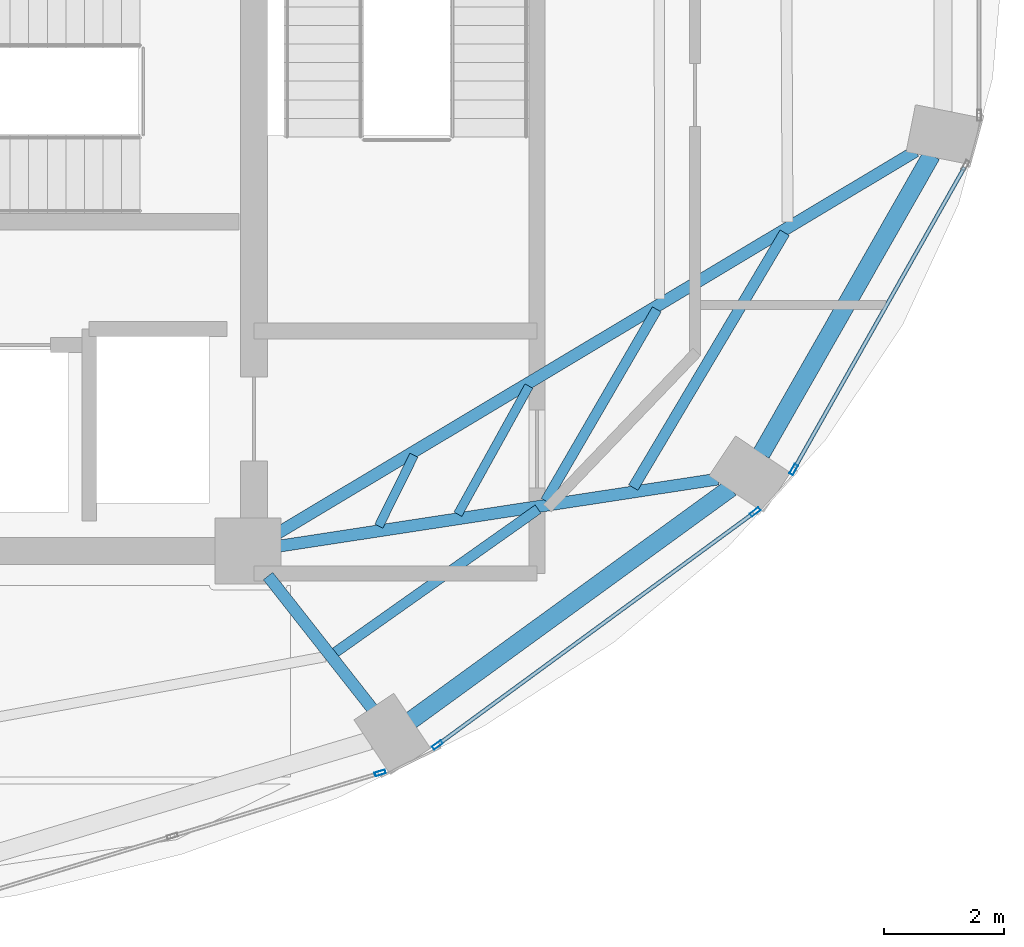
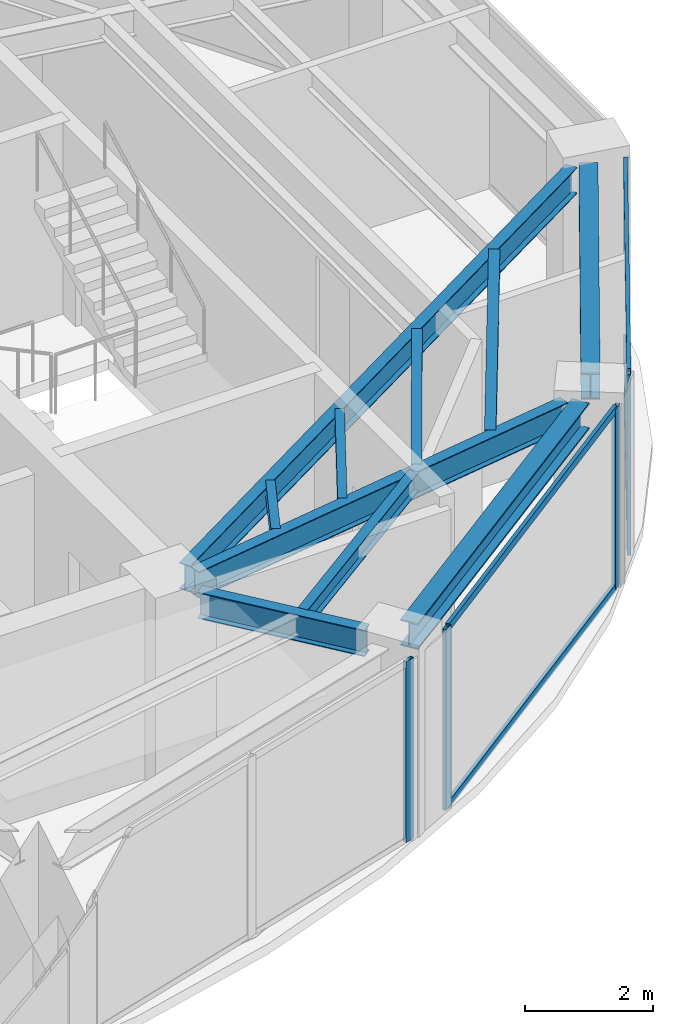
# One storey, part 13 of 23: 10 beams, 8 members, 3 elements without a shape of their own.
"""IFC4 building model written with IfcOpenShell, lengths in metres."""

from ifc_helpers import new_model, si_unit, direction, frame, origin, origin_2d, place, context, subcontext, project, spatial, hollow_rectangle, i_section, extrude, material, layer, layer_set, material_profile, profile_set, type_object, element, aggregate, save


model = new_model("IFC4")

# Units and contexts
model_context = context("Model", 3, precision=1e-05, world=origin(), true_north=direction((0.0, 1.0)))
body_context = subcontext(model_context, "Body", "Model", "MODEL_VIEW")
ifc_project = project(units=[si_unit("LENGTHUNIT", "METRE"), si_unit("AREAUNIT", "SQUARE_METRE"), si_unit("VOLUMEUNIT", "CUBIC_METRE"), si_unit("PLANEANGLEUNIT", "RADIAN"), si_unit("MASSUNIT", "GRAM", prefix="KILO")], contexts=[model_context])

# Site, building, storey
site_placement = place(None, origin())
site = spatial("IfcSite", under=ifc_project, at=site_placement, CompositionType="ELEMENT")
building_placement = place(site_placement, origin())
building = spatial("IfcBuilding", under=site, at=building_placement, Name="Lazwardi Medical Tower", CompositionType="ELEMENT")
storey_placement = place(building_placement, frame((0.0, 0.0, 234.9599609375)))
storey = spatial("IfcBuildingStorey", under=building, at=storey_placement, Name="L61", CompositionType="ELEMENT", Elevation=234.9599609375)

# Beams
ifc_material_1 = material(Name="Steel S355", Category="steel")
ifc_material_profile_1 = material_profile(ifc_material_1, i_section(OverallWidth=0.300048828125, OverallDepth=0.5, WebThickness=0.014404296875, FlangeThickness=0.028076171875, at=origin_2d()), Name="HEB 500")
ifc_profile_set_1 = profile_set([ifc_material_profile_1], Name="Steel S355")
beam_type_1 = type_object("IfcBeamType", Name="BM-RB-Z4", PredefinedType="BEAM", material=ifc_profile_set_1)
beam_1_placement = place(storey_placement, frame((48.31591796875, 17.5751953125, 3.197998046875), z_axis=(0.808889916254, 0.587960120571, 0.0), x_axis=(-0.587960120571, 0.808889916254, 0.0)))
element("IfcBeam", 1, at=beam_1_placement, inside=storey, type_object=beam_type_1, Name="Ring beam RB-05 B02 L61", PredefinedType="BEAM", context=body_context, shape_type="SweptSolid", body=[
    extrude(i_section(OverallWidth=0.300048828125, OverallDepth=0.5, WebThickness=0.014404296875, FlangeThickness=0.028076171875, at=origin_2d()), origin(), (0.0, 0.0, 1.0), 6.587158203125),
])
beam_2_placement = place(storey_placement, frame((54.15283203125, 22.016357421875, 3.197998046875), z_axis=(0.495125273299, 0.868821594886, 0.0), x_axis=(-0.868821594886, 0.495125273299, 0.0)))
element("IfcBeam", 2, at=beam_2_placement, inside=storey, type_object=beam_type_1, Name="Ring beam RB-05 B03 L61", PredefinedType="BEAM", context=body_context, shape_type="SweptSolid", body=[
    extrude(i_section(OverallWidth=0.300048828125, OverallDepth=0.5, WebThickness=0.014404296875, FlangeThickness=0.028076171875, at=origin_2d()), origin(), (0.0, 0.0, 1.0), 5.734130859375),
])
ifc_material_profile_2 = material_profile(ifc_material_1, i_section(OverallWidth=0.199951171875, OverallDepth=0.5, WebThickness=0.01025390625, FlangeThickness=0.01611328125, at=origin_2d()), Name="IPE 500")
ifc_profile_set_2 = profile_set([ifc_material_profile_2], Name="Steel S355")
beam_type_2 = type_object("IfcBeamType", Name="BM-RG-W3", PredefinedType="BEAM", material=ifc_profile_set_2)
beam_3_placement = place(storey_placement, frame((47.669677734375, 17.7666015625, 3.197998046875), z_axis=(-0.617890508382, 0.786264153864, 0.0), x_axis=(-0.786264153864, -0.617890508382, 0.0)))
element("IfcBeam", 3, at=beam_3_placement, inside=storey, type_object=beam_type_2, Name="Radial girder RG-04 R02 L61", PredefinedType="BEAM", context=body_context, shape_type="SweptSolid", body=[
    extrude(i_section(OverallWidth=0.199951171875, OverallDepth=0.5, WebThickness=0.01025390625, FlangeThickness=0.01611328125, at=origin_2d()), origin(), (0.0, 0.0, 1.0), 2.814453125),
])
beam_4_placement = place(storey_placement, frame((53.430908203125, 21.5966796875, 3.197998046875), z_axis=(-0.988522137285, -0.151076087115, 0.0), x_axis=(0.151076087115, -0.988522137285, 0.0)))
element("IfcBeam", 4, at=beam_4_placement, inside=storey, type_object=beam_type_2, Name="Radial girder RG-04 R03 L61", PredefinedType="BEAM", context=body_context, shape_type="SweptSolid", body=[
    extrude(i_section(OverallWidth=0.199951171875, OverallDepth=0.5, WebThickness=0.01025390625, FlangeThickness=0.01611328125, at=origin_2d()), origin(), (0.0, 0.0, 1.0), 7.38671875),
])
beam_5_placement = place(storey_placement, frame((56.72607421875, 27.062255859375, 3.197998046875), z_axis=(-0.857944804603, -0.513741873176, 0.0), x_axis=(0.513741873176, -0.857944804603, 0.0)))
element("IfcBeam", 5, at=beam_5_placement, inside=storey, type_object=beam_type_2, Name="Radial girder RG-04 R04 L61", PredefinedType="BEAM", context=body_context, shape_type="SweptSolid", body=[
    extrude(i_section(OverallWidth=0.199951171875, OverallDepth=0.5, WebThickness=0.01025390625, FlangeThickness=0.01611328125, at=origin_2d()), origin(), (0.0, 0.0, 1.0), 12.43310546875),
])
ifc_material_profile_3 = material_profile(ifc_material_1, i_section(OverallWidth=0.179931640625, OverallDepth=0.39990234375, WebThickness=0.008544921875, FlangeThickness=0.013427734375, at=origin_2d()), Name="IPE 400")
ifc_profile_set_3 = profile_set([ifc_material_profile_3], Name="Steel S355")
beam_type_3 = type_object("IfcBeamType", Name="BM-SJ-01", PredefinedType="JOIST", material=ifc_profile_set_3)
beam_6_placement = place(storey_placement, frame((52.01904296875, 21.455078125, 3.248046875), z_axis=(0.510967866251, 0.859599813668, 0.0), x_axis=(-0.859599813668, 0.510967866251, 0.0)))
element("IfcBeam", 6, at=beam_6_placement, inside=storey, type_object=beam_type_3, Name="Secondary joist SJ-01 R1 B03 L61", PredefinedType="JOIST", context=body_context, shape_type="SweptSolid", body=[
    extrude(i_section(OverallWidth=0.179931640625, OverallDepth=0.39990234375, WebThickness=0.008544921875, FlangeThickness=0.013427734375, at=origin_2d()), origin(), (0.0, 0.0, 1.0), 4.94189453125),
])
ifc_material_profile_4 = material_profile(ifc_material_1, i_section(OverallWidth=0.169921875, OverallDepth=0.360107421875, WebThickness=0.008056640625, FlangeThickness=0.0126953125, at=origin_2d()), Name="IPE 360")
ifc_profile_set_4 = profile_set([ifc_material_profile_4], Name="Steel S355")
beam_type_4 = type_object("IfcBeamType", Name="BM-SJ-02", PredefinedType="JOIST", material=ifc_profile_set_4)
beam_7_placement = place(storey_placement, frame((47.051513671875, 18.70654296875, 3.26806640625), z_axis=(0.816711190406, 0.577046645832, 0.0), x_axis=(-0.577046645832, 0.816711190406, 0.0)))
element("IfcBeam", 7, at=beam_7_placement, inside=storey, type_object=beam_type_4, Name="Secondary joist SJ-02 R2 B02 L61", PredefinedType="JOIST", context=body_context, shape_type="SweptSolid", body=[
    extrude(i_section(OverallWidth=0.169921875, OverallDepth=0.360107421875, WebThickness=0.008056640625, FlangeThickness=0.0126953125, at=origin_2d()), origin(), (0.0, 0.0, 1.0), 4.139892578125),
])
beam_8_placement = place(storey_placement, frame((50.5576171875, 21.232421875, 3.26806640625), z_axis=(0.50218018565, 0.864763008657, 0.0), x_axis=(-0.864763008657, 0.50218018565, 0.0)))
element("IfcBeam", 8, at=beam_8_placement, inside=storey, type_object=beam_type_4, Name="Secondary joist SJ-02 R2 B03 L61", PredefinedType="JOIST", context=body_context, shape_type="SweptSolid", body=[
    extrude(i_section(OverallWidth=0.169921875, OverallDepth=0.360107421875, WebThickness=0.008056640625, FlangeThickness=0.0126953125, at=origin_2d()), origin(), (0.0, 0.0, 1.0), 3.69189453125),
])
ifc_material_profile_5 = material_profile(ifc_material_1, i_section(OverallWidth=0.14990234375, OverallDepth=0.300048828125, WebThickness=0.007080078125, FlangeThickness=0.0107421875, at=origin_2d()), Name="IPE 300")
ifc_profile_set_5 = profile_set([ifc_material_profile_5], Name="Steel S355")
beam_type_5 = type_object("IfcBeamType", Name="BM-SJ-03", PredefinedType="JOIST", material=ifc_profile_set_5)
beam_9_placement = place(storey_placement, frame((49.095703125, 21.01025390625, 3.298095703125), z_axis=(0.484751625998, 0.874651851363, 0.0), x_axis=(-0.874651851363, 0.484751625998, 0.0)))
element("IfcBeam", 9, at=beam_9_placement, inside=storey, type_object=beam_type_5, Name="Secondary joist SJ-03 R3 B03 L61", PredefinedType="JOIST", context=body_context, shape_type="SweptSolid", body=[
    extrude(i_section(OverallWidth=0.14990234375, OverallDepth=0.300048828125, WebThickness=0.007080078125, FlangeThickness=0.0107421875, at=origin_2d()), origin(), (0.0, 0.0, 1.0), 2.442626953125),
])
beam_10_placement = place(storey_placement, frame((47.777587890625, 20.811279296875, 3.298095703125), z_axis=(0.443587297772, 0.89623116954, 0.0), x_axis=(-0.89623116954, 0.443587297772, 0.0)))
element("IfcBeam", 10, at=beam_10_placement, inside=storey, type_object=beam_type_5, Name="Secondary joist SJ-03 R4 B03 L61", PredefinedType="JOIST", context=body_context, shape_type="SweptSolid", body=[
    extrude(i_section(OverallWidth=0.14990234375, OverallDepth=0.300048828125, WebThickness=0.007080078125, FlangeThickness=0.0107421875, at=origin_2d()), origin(), (0.0, 0.0, 1.0), 1.32080078125),
])

# Curtain wall, member
ifc_material_2 = material(Name="Anodised bronze aluminium and solar control glazing", Category="aluminium")
ifc_layer = layer(ifc_material_2, 0.18994140625)
ifc_layer_set = layer_set([ifc_layer], Name="Anodised bronze aluminium and solar control glazing")
curtain_wall_type = type_object("IfcCurtainWallType", Name="CW-SYS-04", PredefinedType="NOTDEFINED", material=ifc_layer_set)
curtain_wall_1_placement = place(storey_placement, origin())
curtain_wall_1 = element("IfcCurtainWall", 11, at=curtain_wall_1_placement, inside=storey, type_object=curtain_wall_type, Name="L61 Unitised bronze curtain wall CW-04", PredefinedType="NOTDEFINED")
ifc_material_3 = material(Name="Anodised bronze aluminium", Category="aluminium")
ifc_material_profile_6 = material_profile(ifc_material_3, hollow_rectangle(XDim=0.06494140625, YDim=0.179931640625, WallThickness=0.00390625, at=origin_2d()), Name="ALU-MULLION 180x65x4")
ifc_profile_set_6 = profile_set([ifc_material_profile_6], Name="Anodised bronze aluminium")
member_type_1 = type_object("IfcMemberType", Name="CW-MUL-03", PredefinedType="MULLION", material=ifc_profile_set_6)
member_1_placement = place(storey_placement, frame((47.7998046875, 16.696533203125, 0.0), z_axis=(0.0, 0.0, 1.0), x_axis=(-0.290581889515, 0.956850126972, 0.0)))
member_1 = element("IfcMember", 12, at=member_1_placement, type_object=member_type_1, Name="CW-04 mullion 3", PredefinedType="MULLION", context=body_context, shape_type="SweptSolid", body=[
    extrude(hollow_rectangle(XDim=0.06494140625, YDim=0.179931640625, WallThickness=0.00390625, at=origin_2d()), origin(), (0.0, 0.0, 1.0), 3.447998046875),
])
aggregate(curtain_wall_1, [member_1])

# Curtain wall, members
curtain_wall_2_placement = place(storey_placement, origin())
curtain_wall_2 = element("IfcCurtainWall", 13, at=curtain_wall_2_placement, inside=storey, type_object=curtain_wall_type, Name="L61 Unitised bronze curtain wall CW-04", PredefinedType="NOTDEFINED")
member_2_placement = place(storey_placement, frame((48.75537109375, 17.1650390625, 0.0), z_axis=(0.0, 0.0, 1.0), x_axis=(-0.591268230971, 0.806474971121, 0.0)))
member_2 = element("IfcMember", 14, at=member_2_placement, type_object=member_type_1, Name="CW-04 mullion 1", PredefinedType="MULLION", context=body_context, shape_type="SweptSolid", body=[
    extrude(hollow_rectangle(XDim=0.06494140625, YDim=0.179931640625, WallThickness=0.00390625, at=origin_2d()), origin(), (0.0, 0.0, 1.0), 3.447998046875),
])
member_3_placement = place(storey_placement, frame((54.052001953125, 21.04833984375, 0.0), z_axis=(0.0, 0.0, 1.0), x_axis=(-0.591268230971, 0.806474971121, 0.0)))
member_3 = element("IfcMember", 15, at=member_3_placement, type_object=member_type_1, Name="CW-04 mullion 2", PredefinedType="MULLION", context=body_context, shape_type="SweptSolid", body=[
    extrude(hollow_rectangle(XDim=0.06494140625, YDim=0.179931640625, WallThickness=0.00390625, at=origin_2d()), origin(), (0.0, 0.0, 1.0), 3.447998046875),
])

# Curtain wall, member
curtain_wall_3_placement = place(storey_placement, origin())
curtain_wall_3 = element("IfcCurtainWall", 16, at=curtain_wall_3_placement, inside=storey, type_object=curtain_wall_type, Name="L61 Unitised bronze curtain wall CW-04", PredefinedType="NOTDEFINED")
member_4_placement = place(storey_placement, frame((54.6943359375, 21.75439453125, 0.0), z_axis=(0.0, 0.0, 1.0), x_axis=(-0.870651436011, 0.491900474661, 0.0)))
member_4 = element("IfcMember", 17, at=member_4_placement, type_object=member_type_1, Name="CW-04 mullion 1", PredefinedType="MULLION", context=body_context, shape_type="SweptSolid", body=[
    extrude(hollow_rectangle(XDim=0.06494140625, YDim=0.179931640625, WallThickness=0.00390625, at=origin_2d()), origin(), (0.0, 0.0, 1.0), 3.447998046875),
])

# Member
ifc_material_profile_7 = material_profile(ifc_material_3, hollow_rectangle(XDim=0.06494140625, YDim=0.139892578125, WallThickness=0.00341796875, at=origin_2d()), Name="ALU-TRANSOM 140x65x3.5")
ifc_profile_set_7 = profile_set([ifc_material_profile_7], Name="Anodised bronze aluminium")
member_type_2 = type_object("IfcMemberType", Name="CW-TRN-03", PredefinedType="USERDEFINED", material=ifc_profile_set_7)
member_5_placement = place(storey_placement, frame((48.781494140625, 17.184326171875, 0.032470703125), z_axis=(0.80648973359, 0.591248094808, 0.0), x_axis=(-0.591248094808, 0.80648973359, 0.0)))
member_5 = element("IfcMember", 18, at=member_5_placement, type_object=member_type_2, Name="CW-04 transom 1.1", ObjectType="TRANSOM", PredefinedType="USERDEFINED", context=body_context, shape_type="SweptSolid", body=[
    extrude(hollow_rectangle(XDim=0.06494140625, YDim=0.139892578125, WallThickness=0.00341796875, at=origin_2d()), origin(), (0.0, 0.0, 1.0), 6.502685546875),
])

member_6_placement = place(storey_placement, frame((48.781494140625, 17.184326171875, 3.41552734375), z_axis=(0.80648973359, 0.591248094808, 0.0), x_axis=(-0.591248094808, 0.80648973359, 0.0)))
member_6 = element("IfcMember", 19, at=member_6_placement, type_object=member_type_2, Name="CW-04 transom 1.2", ObjectType="TRANSOM", PredefinedType="USERDEFINED", context=body_context, shape_type="SweptSolid", body=[
    extrude(hollow_rectangle(XDim=0.06494140625, YDim=0.139892578125, WallThickness=0.00341796875, at=origin_2d()), origin(), (0.0, 0.0, 1.0), 6.502685546875),
])

aggregate(curtain_wall_2, [member_2, member_3, member_5, member_6])

member_7_placement = place(storey_placement, frame((54.71044921875, 21.78271484375, 0.032470703125), z_axis=(0.491879719484, 0.87066316194, 0.0), x_axis=(-0.87066316194, 0.491879719484, 0.0)))
member_7 = element("IfcMember", 20, at=member_7_placement, type_object=member_type_2, Name="CW-04 transom 1.1", ObjectType="TRANSOM", PredefinedType="USERDEFINED", context=body_context, shape_type="SweptSolid", body=[
    extrude(hollow_rectangle(XDim=0.06494140625, YDim=0.139892578125, WallThickness=0.00341796875, at=origin_2d()), origin(), (0.0, 0.0, 1.0), 5.755126953125),
])

member_8_placement = place(storey_placement, frame((54.71044921875, 21.78271484375, 3.41552734375), z_axis=(0.491879719484, 0.87066316194, 0.0), x_axis=(-0.87066316194, 0.491879719484, 0.0)))
member_8 = element("IfcMember", 21, at=member_8_placement, type_object=member_type_2, Name="CW-04 transom 1.2", ObjectType="TRANSOM", PredefinedType="USERDEFINED", context=body_context, shape_type="SweptSolid", body=[
    extrude(hollow_rectangle(XDim=0.06494140625, YDim=0.139892578125, WallThickness=0.00341796875, at=origin_2d()), origin(), (0.0, 0.0, 1.0), 5.755126953125),
])

aggregate(curtain_wall_3, [member_4, member_7, member_8])

save(model, "model.ifc")
